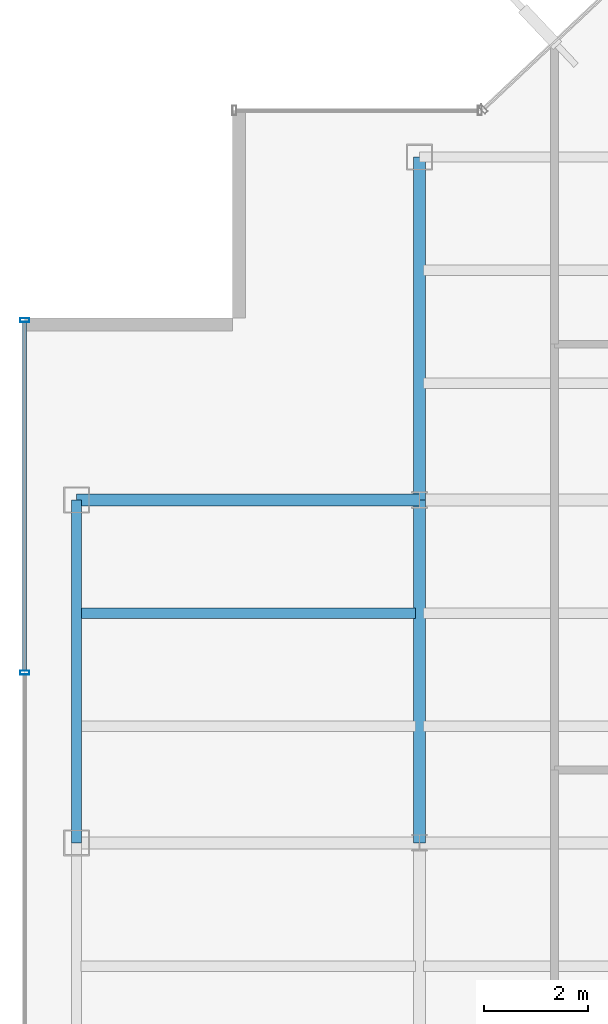
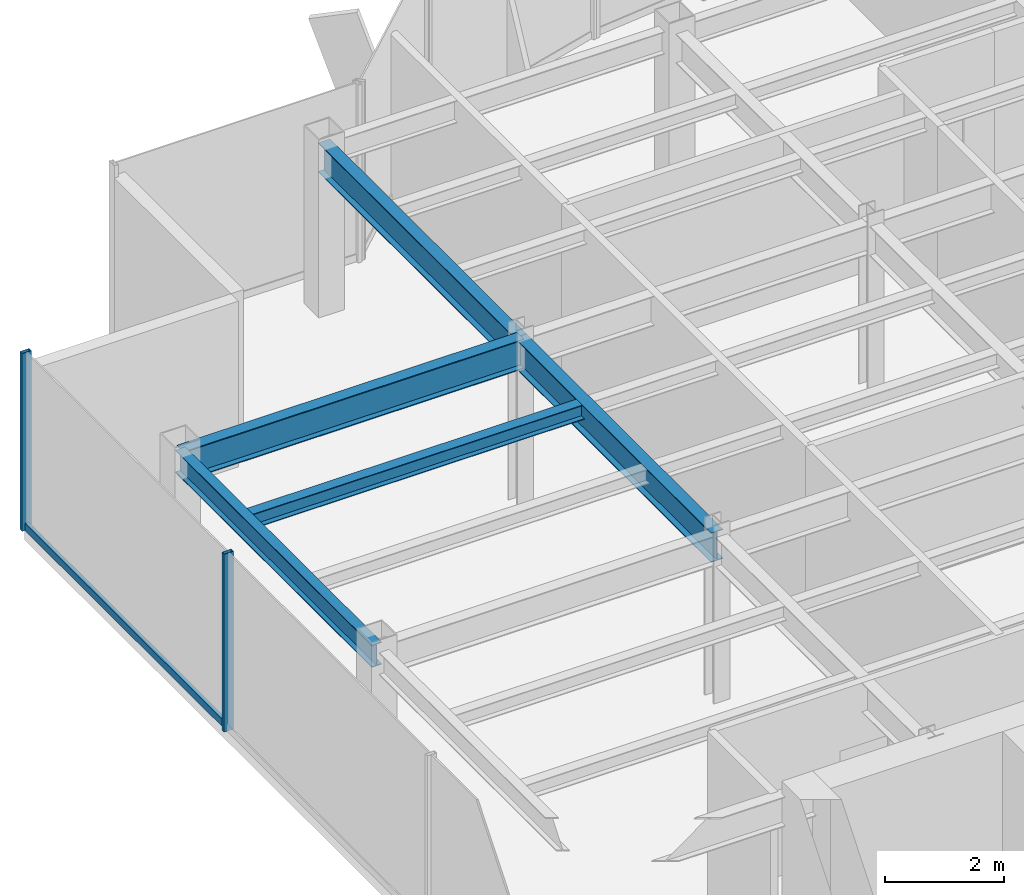
# One storey, part 7 of 22: 5 beams, 3 members, 1 element without a shape of its own.
"""IFC4 building model written with IfcOpenShell, lengths in metres."""

from ifc_helpers import new_model, si_unit, derived_unit, direction, frame, origin, origin_2d, place, context, subcontext, project, spatial, hollow_rectangle, i_section, extrude, source, transform, mapped, material, material_profile, profile_set, type_object, element, aggregate, save


model = new_model("IFC4")

# Units and contexts
model_context = context("Model", 3, precision=1e-05, world=origin(), true_north=direction((0.0, 1.0)))
body_context = subcontext(model_context, "Body", "Model", "MODEL_VIEW")
ifc_project = project(units=[si_unit("LENGTHUNIT", "METRE"), si_unit("AREAUNIT", "SQUARE_METRE"), si_unit("VOLUMEUNIT", "CUBIC_METRE"), si_unit("PLANEANGLEUNIT", "RADIAN"), si_unit("MASSUNIT", "GRAM", prefix="KILO"), derived_unit("THERMALTRANSMITTANCEUNIT", [(si_unit("POWERUNIT", "WATT"), 1), (si_unit("LENGTHUNIT", "METRE"), -2), (si_unit("THERMODYNAMICTEMPERATUREUNIT", "KELVIN"), -1)])], contexts=[model_context])

# Site, building, storey
site_placement = place(None, origin())
site = spatial("IfcSite", under=ifc_project, at=site_placement, CompositionType="ELEMENT")
building_placement = place(site_placement, origin())
building = spatial("IfcBuilding", under=site, at=building_placement, Name="Skarnbrae Concourse Arena and Tower", CompositionType="ELEMENT")
storey_placement = place(building_placement, frame((0.0, 0.0, 247.85009765625)))
storey = spatial("IfcBuildingStorey", under=building, at=storey_placement, Name="L64", CompositionType="ELEMENT", Elevation=247.85009765625)

# Beams
ifc_material_1 = material(Name="Steel CSA G40.21 350W", Category="steel")
ifc_material_profile_1 = material_profile(ifc_material_1, i_section(OverallWidth=0.22802734375, OverallDepth=0.60791015625, WebThickness=0.01123046875, FlangeThickness=0.017333984375, at=origin_2d()), Name="W610X113")
ifc_profile_set_1 = profile_set([ifc_material_profile_1], Name="Steel CSA G40.21 350W")
beam_type_1 = type_object("IfcBeamType", Name="BM-GIRD-W610X113", PredefinedType="BEAM", material=ifc_profile_set_1)
shared_shape_1 = source(origin(), body_context, "Body", "SweptSolid", [
    extrude(i_section(OverallWidth=0.22802734375, OverallDepth=0.60791015625, WebThickness=0.01123046875, FlangeThickness=0.017333984375, at=origin_2d()), origin(), (0.0, 0.0, 1.0), 6.60009765625),
])
for number, where, z_axis, x_axis, name in (
    (1, (1.0, 27.800048828125, 3.095947265625), (1.0, 0.0, 0.0), (0.0, 1.0, 0.0), "L64 Primary E-W girder Y27.8-1"),
    (2, (7.60009765625, 21.199951171875, 3.095947265625), (0.0, 1.0, 0.0), (-1.0, 0.0, 0.0), "L64 Primary N-S girder X7.6-2"),
):
    element("IfcBeam", number, at=place(storey_placement, frame(where, z_axis=z_axis, x_axis=x_axis)), inside=storey, type_object=beam_type_1, Name=name, PredefinedType="BEAM", context=body_context, shape_type="MappedRepresentation", body=[
        mapped(shared_shape_1, transform((0.0, 0.0, 0.0))),
    ])
ifc_material_profile_2 = material_profile(ifc_material_1, i_section(OverallWidth=0.19091796875, OverallDepth=0.4599609375, WebThickness=0.010009765625, FlangeThickness=0.01611328125, at=origin_2d()), Name="W460X82")
ifc_profile_set_2 = profile_set([ifc_material_profile_2], Name="Steel CSA G40.21 350W")
beam_type_2 = type_object("IfcBeamType", Name="BM-SPAN-W460X82", PredefinedType="SPANDREL", material=ifc_profile_set_2)
shared_shape_2 = source(origin(), body_context, "Body", "SweptSolid", [
    extrude(i_section(OverallWidth=0.19091796875, OverallDepth=0.4599609375, WebThickness=0.010009765625, FlangeThickness=0.01611328125, at=origin_2d()), origin(), (0.0, 0.0, 1.0), 6.60009765625),
])
beam_1_placement = place(storey_placement, frame((1.0, 21.199951171875, 3.169921875), z_axis=(0.0, 1.0, 0.0), x_axis=(-1.0, 0.0, 0.0)))
element("IfcBeam", 3, at=beam_1_placement, inside=storey, type_object=beam_type_2, Name="L64 Perimeter spandrel X1.0-3", PredefinedType="SPANDREL", context=body_context, shape_type="MappedRepresentation", body=[
    mapped(shared_shape_2, transform((0.0, 0.0, 0.0))),
])
shared_shape_3 = source(origin(), body_context, "Body", "SweptSolid", [
    extrude(i_section(OverallWidth=0.22802734375, OverallDepth=0.60791015625, WebThickness=0.01123046875, FlangeThickness=0.017333984375, at=origin_2d()), origin(), (0.0, 0.0, 1.0), 6.599853515625),
])
beam_2_placement = place(storey_placement, frame((7.60009765625, 27.800048828125, 3.095947265625), z_axis=(0.0, 1.0, 0.0), x_axis=(-1.0, 0.0, 0.0)))
element("IfcBeam", 4, at=beam_2_placement, inside=storey, type_object=beam_type_1, Name="L64 Primary N-S girder X7.6-3", PredefinedType="BEAM", context=body_context, shape_type="MappedRepresentation", body=[
    mapped(shared_shape_3, transform((0.0, 0.0, 0.0))),
])
ifc_material_profile_3 = material_profile(ifc_material_1, i_section(OverallWidth=0.202880859375, OverallDepth=0.302978515625, WebThickness=0.007568359375, FlangeThickness=0.01318359375, at=origin_2d()), Name="W310X60")
ifc_profile_set_3 = profile_set([ifc_material_profile_3], Name="Steel CSA G40.21 350W")
beam_type_3 = type_object("IfcBeamType", Name="BM-JOIST-W310X60", PredefinedType="JOIST", material=ifc_profile_set_3)
shared_shape_4 = source(origin(), body_context, "Body", "SweptSolid", [
    extrude(i_section(OverallWidth=0.202880859375, OverallDepth=0.302978515625, WebThickness=0.007568359375, FlangeThickness=0.01318359375, at=origin_2d()), origin(), (0.0, 0.0, 1.0), 6.43994140625),
])
beam_3_placement = place(storey_placement, frame((1.080078125, 25.6220703125, 3.248291015625), z_axis=(1.0, 0.0, 0.0), x_axis=(0.0, 1.0, 0.0)))
element("IfcBeam", 5, at=beam_3_placement, inside=storey, type_object=beam_type_3, Name="L64 Secondary floor joist 2.2.1", PredefinedType="JOIST", context=body_context, shape_type="MappedRepresentation", body=[
    mapped(shared_shape_4, transform((0.0, 0.0, 0.0))),
])

# Curtain wall, members
ifc_material_2 = material(Name="Bronze anodised aluminium 6063-T6", Category="aluminium")
curtain_wall_type = type_object("IfcCurtainWallType", Name="CW-SYS-05-HIGHZONE", PredefinedType="USERDEFINED", material=ifc_material_2)
curtain_wall_placement = place(storey_placement, origin())
curtain_wall = element("IfcCurtainWall", 6, at=curtain_wall_placement, inside=storey, type_object=curtain_wall_type, Name="L64 Unitised curtain wall CW-L64-E18", ObjectType="UNITISED CURTAIN WALL", PredefinedType="USERDEFINED")
ifc_material_profile_4 = material_profile(ifc_material_2, hollow_rectangle(XDim=0.074951171875, YDim=0.179931640625, WallThickness=0.00390625, at=origin_2d()), Name="ALU-MULL-75X180")
ifc_profile_set_4 = profile_set([ifc_material_profile_4], Name="Bronze anodised aluminium 6063-T6")
member_type_1 = type_object("IfcMemberType", Name="CWM-CW-05", PredefinedType="MULLION", material=ifc_profile_set_4)
shared_shape_5 = source(origin(), body_context, "Body", "SweptSolid", [
    extrude(hollow_rectangle(XDim=0.074951171875, YDim=0.179931640625, WallThickness=0.00390625, at=origin_2d()), origin(), (0.0, 0.0, 1.0), 3.64990234375),
])
member_1_placement = place(storey_placement, frame((0.0, 31.262451171875, 0.0), z_axis=(0.0, 0.0, 1.0), x_axis=(0.0, -1.0, 0.0)))
member_1 = element("IfcMember", 7, at=member_1_placement, type_object=member_type_1, Name="CW-L64-E18 Mullion 1", PredefinedType="MULLION", context=body_context, shape_type="MappedRepresentation", body=[
    mapped(shared_shape_5, transform((0.0, 0.0, 0.0))),
])
member_2_placement = place(storey_placement, frame((0.0, 24.47509765625, 0.0), z_axis=(0.0, 0.0, 1.0), x_axis=(0.0, -1.0, 0.0)))
member_2 = element("IfcMember", 8, at=member_2_placement, type_object=member_type_1, Name="CW-L64-E18 Mullion 2", PredefinedType="MULLION", context=body_context, shape_type="MappedRepresentation", body=[
    mapped(shared_shape_5, transform((0.0, 0.0, 0.0))),
])
ifc_material_profile_5 = material_profile(ifc_material_2, hollow_rectangle(XDim=0.074951171875, YDim=0.14990234375, WallThickness=0.00390625, at=origin_2d()), Name="ALU-TRAN-75X150")
ifc_profile_set_5 = profile_set([ifc_material_profile_5], Name="Bronze anodised aluminium 6063-T6")
member_type_2 = type_object("IfcMemberType", Name="CWT-CW-05", PredefinedType="USERDEFINED", material=ifc_profile_set_5)
shared_shape_6 = source(origin(), body_context, "Body", "SweptSolid", [
    extrude(hollow_rectangle(XDim=0.074951171875, YDim=0.14990234375, WallThickness=0.00390625, at=origin_2d()), origin(), (0.0, 0.0, 1.0), 6.712646484375),
])
member_3_placement = place(storey_placement, frame((0.0, 31.22509765625, 0.074951171875), z_axis=(0.0, -1.0, 0.0), x_axis=(1.0, 0.0, 0.0)))
member_3 = element("IfcMember", 9, at=member_3_placement, type_object=member_type_2, Name="CW-L64-E18 Transom 1", ObjectType="TRANSOM", PredefinedType="USERDEFINED", context=body_context, shape_type="MappedRepresentation", body=[
    mapped(shared_shape_6, transform((0.0, 0.0, 0.0))),
])
aggregate(curtain_wall, [member_1, member_2, member_3])

save(model, "model.ifc")
